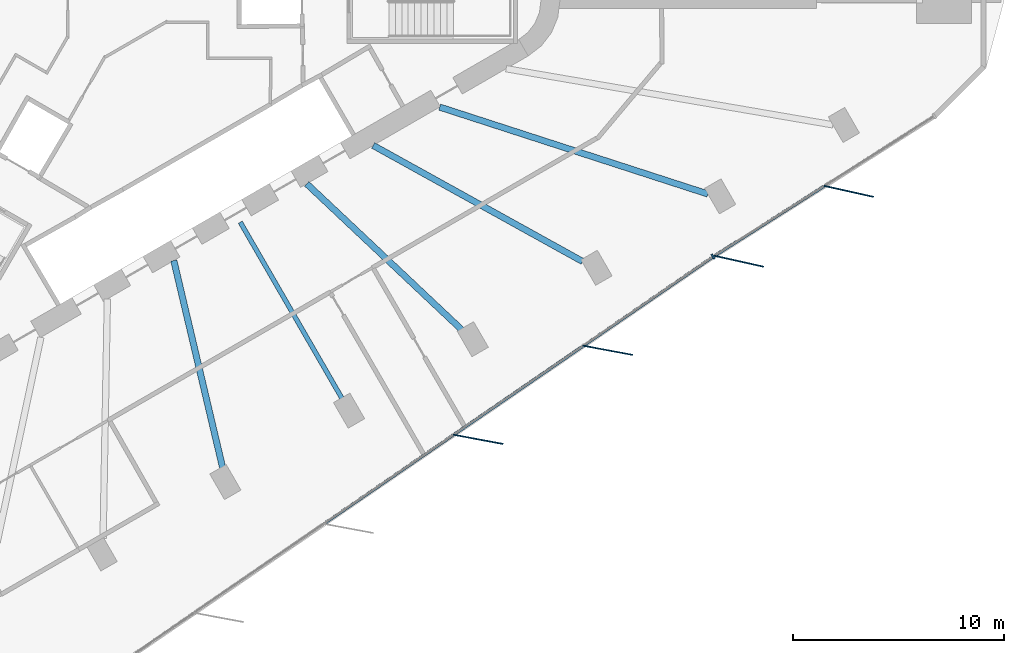
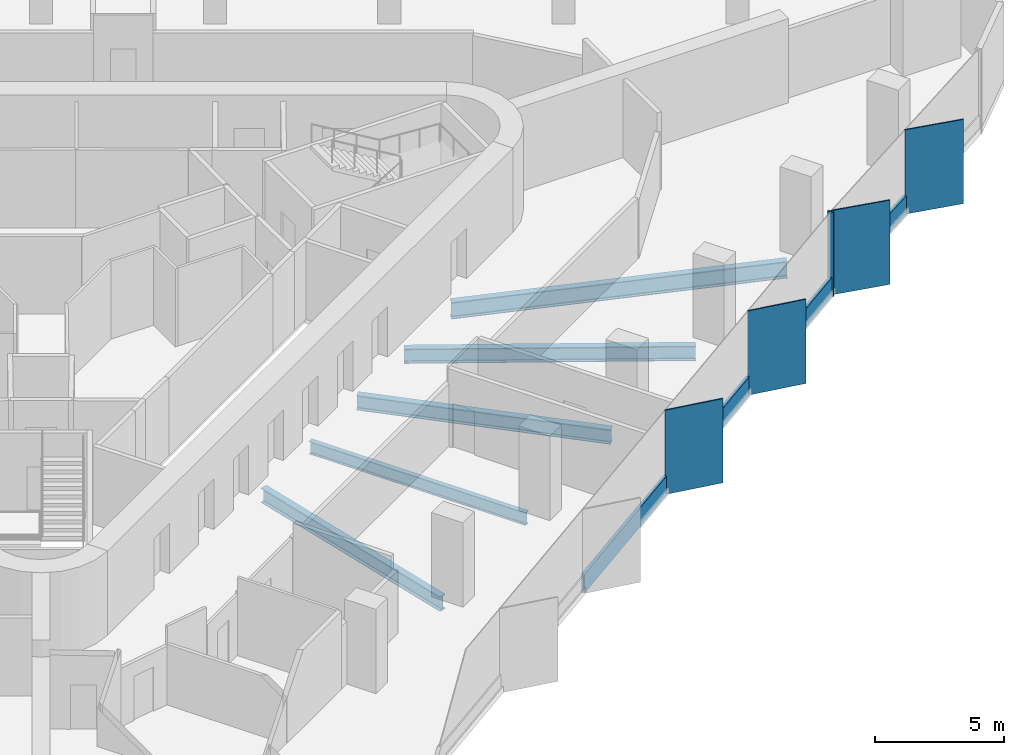
# One storey, part 3 of 13: 9 members, 5 beams, 2 elements without a shape of their own.
"""IFC4 building model written with IfcOpenShell, lengths in metres."""

import ifcopenshell
import ifcopenshell.guid

model = None  # the IFC model being written
_history = None  # IfcOwnerHistory: only IFC2X3 demands one
_inside = {}  # id of a spatial element -> (the spatial element, [elements in it])
_under = {}  # id of a project, library or spatial element -> (it, [spatial elements below it])
_declared = {}  # id of a project -> (the project, [libraries it declares])
_typed = {}  # id of a type object -> (the type object, [elements of that type])
_made_of = {}  # id of a material, layer set ... -> (it, [elements and type objects made of it])


def new_model(schema):
    """Start an empty IFC model of exactly this schema.

    Asked for "IFC4X3", IfcOpenShell would pick the latest addendum, in which some entities
    have other attributes; the version numbers below select the first issue.
    IFC2X3 requires an IfcOwnerHistory on every rooted entity: one is made here for all.
    """
    global model, _history
    if schema == "IFC4X3":
        model = ifcopenshell.file(schema_version=(4, 3, 0, 0))
    else:
        model = ifcopenshell.file(schema=schema)
    _inside.clear()
    _under.clear()
    _declared.clear()
    _typed.clear()
    _made_of.clear()
    _history = None
    if model.schema == "IFC2X3":
        org = make("IfcOrganization", Name="unknown")
        user = make(
            "IfcPersonAndOrganization",
            ThePerson=make("IfcPerson", FamilyName="unknown"),
            TheOrganization=org,
        )
        app = make(
            "IfcApplication",
            ApplicationDeveloper=org,
            Version="unknown",
            ApplicationFullName="unknown",
            ApplicationIdentifier="unknown",
        )
        _history = make(
            "IfcOwnerHistory",
            OwningUser=user,
            OwningApplication=app,
            ChangeAction="ADDED",
            CreationDate=0,
        )
    return model


def make(cls, **values):
    """One entity of the class cls with the attributes given. An attribute that is None is left unset."""
    return model.create_entity(
        cls, **{name: value for name, value in values.items() if value is not None}
    )


def rooted(cls, **values):
    """An entity with a GlobalId (a new one), such as an element, a storey or a relation."""
    return make(cls, GlobalId=ifcopenshell.guid.new(), OwnerHistory=_history, **values)


def si_unit(unit_type, name, prefix=None):
    """IfcSIUnit, for example si_unit("LENGTHUNIT", "METRE", prefix="MILLI")."""
    return make("IfcSIUnit", UnitType=unit_type, Prefix=prefix, Name=name)


def assignment(units):
    """IfcUnitAssignment: the units of a project."""
    return None if units is None else make("IfcUnitAssignment", Units=units)


def point(xyz):
    """IfcCartesianPoint."""
    return None if xyz is None else make("IfcCartesianPoint", Coordinates=xyz)


def direction(xyz):
    """IfcDirection."""
    return None if xyz is None else make("IfcDirection", DirectionRatios=xyz)


def frame(location, z_axis=None, x_axis=None):
    """IfcAxis2Placement3D, a coordinate frame: its origin and axes. An axis left out is left unset."""
    return make(
        "IfcAxis2Placement3D",
        Location=point(location),
        Axis=direction(z_axis),
        RefDirection=direction(x_axis),
    )


def frame_2d(location, x_axis=None):
    """IfcAxis2Placement2D, a coordinate frame in the plane: its origin and x axis."""
    return make(
        "IfcAxis2Placement2D", Location=point(location), RefDirection=direction(x_axis)
    )


def origin():
    """The frame at (0, 0, 0) with its axes left unset."""
    return frame((0.0, 0.0, 0.0))


def origin_2d():
    """The frame at (0, 0) in the plane with its x axis left unset."""
    return frame_2d((0.0, 0.0))


def place(relative_to, where):
    """IfcLocalPlacement: puts the frame where relative to a parent placement (None: the world)."""
    return make(
        "IfcLocalPlacement", PlacementRelTo=relative_to, RelativePlacement=where
    )


def context(
    kind, dimensions, precision=None, world=None, true_north=None, identifier=None
):
    """IfcGeometricRepresentationContext, for example the 3D "Model" context."""
    return make(
        "IfcGeometricRepresentationContext",
        ContextIdentifier=identifier,
        ContextType=kind,
        CoordinateSpaceDimension=dimensions,
        Precision=precision,
        WorldCoordinateSystem=world,
        TrueNorth=true_north,
    )


def subcontext(parent, identifier, kind, view, scale=None):
    """IfcGeometricRepresentationSubContext, for example "Body" below "Model"."""
    return make(
        "IfcGeometricRepresentationSubContext",
        ContextIdentifier=identifier,
        ContextType=kind,
        ParentContext=parent,
        TargetScale=scale,
        TargetView=view,
    )


def project(units=None, contexts=None):
    """IfcProject with its units and contexts."""
    return rooted(
        "IfcProject",
        Name="project",
        RepresentationContexts=contexts,
        UnitsInContext=assignment(units),
    )


def spatial(cls, under=None, at=None, **own):
    """A site, building, storey or space (cls), placed at a placement, below another one or the project."""
    s = rooted(cls, ObjectPlacement=at, **own)
    if under is not None:
        _under.setdefault(under.id(), (under, []))[1].append(s)
    return s


def profile(cls, at=None, kind="AREA", **sizes):
    """A parametric profile (cls). Its sizes go by their IFC names, for example OverallWidth=200.0."""
    return make(cls, ProfileType=kind, Position=at, **sizes)


def rectangle(**sizes):
    """IfcRectangleProfileDef."""
    return profile("IfcRectangleProfileDef", **sizes)


def i_section(**sizes):
    """IfcIShapeProfileDef."""
    return profile("IfcIShapeProfileDef", **sizes)


def extrude(swept, where, along, depth):
    """IfcExtrudedAreaSolid: the profile swept, set in the frame where, extruded along a direction by depth."""
    return make(
        "IfcExtrudedAreaSolid",
        SweptArea=swept,
        Position=where,
        ExtrudedDirection=direction(along),
        Depth=depth,
    )


def shape(context_of_items, identifier, shape_type, items):
    """IfcShapeRepresentation: the items that make up one representation, for example the "Body"."""
    return make(
        "IfcShapeRepresentation",
        ContextOfItems=context_of_items,
        RepresentationIdentifier=identifier,
        RepresentationType=shape_type,
        Items=items,
    )


def material(Name=None, Category=None):
    """IfcMaterial."""
    return make("IfcMaterial", Name=Name, Category=Category)


def material_profile(
    of_material, cross_section, Name=None, Category=None, Priority=None
):
    """IfcMaterialProfile: a cross section and its material."""
    return make(
        "IfcMaterialProfile",
        Name=Name,
        Material=of_material,
        Profile=cross_section,
        Priority=Priority,
        Category=Category,
    )


def profile_set(profiles, Name=None, composite=None):
    """IfcMaterialProfileSet."""
    return make(
        "IfcMaterialProfileSet",
        Name=Name,
        MaterialProfiles=profiles,
        CompositeProfile=composite,
    )


def made_of(thing, what):
    """Note that an element or type object is made of a material, layer set ...; save() writes the relation."""
    if what is not None:
        _made_of.setdefault(what.id(), (what, []))[1].append(thing)
    return thing


def type_object(cls, material=None, **own):
    """A type object (cls), such as IfcWallType, which elements share."""
    return made_of(rooted(cls, **own), material)


def element(
    cls,
    number,
    at=None,
    inside=None,
    cuts=None,
    type_object=None,
    material=None,
    context=None,
    identifier="Body",
    shape_type=None,
    held_by="IfcProductDefinitionShape",
    body=None,
    shapes=None,
    **own,
):
    """One element of the class cls, such as IfcWall. Its Tag is "e" and its number.

    at: its placement. inside: the storey or other place that contains it. cuts: it is an
    opening in that element (IfcRelVoidsElement). A single representation is given by context,
    identifier, shape_type and body (its items); several are given by shapes. held_by: the class
    of the entity that holds the representations. save() writes the other relations.
    """
    e = rooted(cls, Tag="e%d" % number, ObjectPlacement=at, **own)
    if body is not None:
        shapes = [shape(context, identifier, shape_type, body)]
    if shapes is not None:
        e.Representation = make(held_by, Representations=shapes)
    if inside is not None:
        _inside.setdefault(inside.id(), (inside, []))[1].append(e)
    if cuts is not None:
        rooted(
            "IfcRelVoidsElement", RelatingBuildingElement=cuts, RelatedOpeningElement=e
        )
    if type_object is not None:
        _typed.setdefault(type_object.id(), (type_object, []))[1].append(e)
    return made_of(e, material)


def aggregate(whole, parts):
    """IfcRelAggregates: a whole, such as a stair, and the parts it consists of."""
    return rooted("IfcRelAggregates", RelatingObject=whole, RelatedObjects=parts)


def save(model, path):
    """Write the relations noted so far, then the file.

    IfcRelAggregates (storeys below a building ...), IfcRelContainedInSpatialStructure (elements
    in a storey), IfcRelDefinesByType, IfcRelAssociatesMaterial and IfcRelDeclares: one each for
    every whole, place, type object, material and project.
    """
    for whole, parts in _under.values():
        aggregate(whole, parts)
    for where, things in _inside.values():
        rooted(
            "IfcRelContainedInSpatialStructure",
            RelatedElements=things,
            RelatingStructure=where,
        )
    for kind, things in _typed.values():
        rooted("IfcRelDefinesByType", RelatedObjects=things, RelatingType=kind)
    for what, things in _made_of.values():
        rooted("IfcRelAssociatesMaterial", RelatedObjects=things, RelatingMaterial=what)
    for by, libraries in _declared.values():
        rooted("IfcRelDeclares", RelatingContext=by, RelatedDefinitions=libraries)
    model.write(path)


model = new_model("IFC4")

# Units and contexts
model_context = context("Model", 3, precision=1e-05, world=origin(), true_north=direction((0.0, 1.0)))
body_context = subcontext(model_context, "Body", "Model", "MODEL_VIEW")
ifc_project = project(units=[si_unit("LENGTHUNIT", "METRE"), si_unit("AREAUNIT", "SQUARE_METRE"), si_unit("VOLUMEUNIT", "CUBIC_METRE"), si_unit("PLANEANGLEUNIT", "RADIAN"), si_unit("MASSUNIT", "GRAM", prefix="KILO")], contexts=[model_context])

# Site, building, storey
site_placement = place(None, origin())
site = spatial("IfcSite", under=ifc_project, at=site_placement, CompositionType="ELEMENT")
building_placement = place(site_placement, origin())
building = spatial("IfcBuilding", under=site, at=building_placement, Name="Tanit Gate Tower", CompositionType="ELEMENT")
storey_placement = place(building_placement, frame((0.0, 0.0, 181.199951171875)))
storey = spatial("IfcBuildingStorey", under=building, at=storey_placement, Name="L39", CompositionType="ELEMENT", Elevation=181.199951171875)

# Curtain wall, members
ifc_material_1 = material(Name="Aluminium bronze anodised and glass", Category="aluminium")
curtain_wall_type = type_object("IfcCurtainWallType", Name="Curtain wall typical mid", PredefinedType="NOTDEFINED", material=ifc_material_1)
curtain_wall_1_placement = place(storey_placement, origin())
curtain_wall_1 = element("IfcCurtainWall", 1, at=curtain_wall_1_placement, inside=storey, type_object=curtain_wall_type, Name="Curtain wall L39 SE2", PredefinedType="NOTDEFINED")
ifc_material_2 = material(Name="Aluminium bronze anodised", Category="aluminium")
ifc_material_profile_1 = material_profile(ifc_material_2, rectangle(XDim=2.39990234375, YDim=0.055908203125, at=origin_2d()), Name="56x2400 bronze fin mullion")
ifc_profile_set_1 = profile_set([ifc_material_profile_1], Name="Aluminium bronze anodised")
member_type_1 = type_object("IfcMemberType", Name="FIN MULLION 56x2400 bronze", PredefinedType="MULLION", material=ifc_profile_set_1)
member_1_placement = place(storey_placement, frame((17.32275390625, -20.77099609375, -0.300048828125), z_axis=(0.0, 0.0, 1.0), x_axis=(-0.983116074967, 0.182983013261, 0.0)))
member_1 = element("IfcMember", 2, at=member_1_placement, type_object=member_type_1, Name="Fin mullion L39 SE2.4", PredefinedType="MULLION", context=body_context, shape_type="SweptSolid", body=[
    extrude(rectangle(XDim=2.39990234375, YDim=0.055908203125, at=origin_2d()), origin(), (0.0, 0.0, 1.0), 4.0),
])
member_2_placement = place(storey_placement, frame((23.473388671875, -16.55078125, -0.300048828125), z_axis=(0.0, 0.0, 1.0), x_axis=(-0.983116074967, 0.182983013261, 0.0)))
member_2 = element("IfcMember", 3, at=member_2_placement, type_object=member_type_1, Name="Fin mullion L39 SE2.5", PredefinedType="MULLION", context=body_context, shape_type="SweptSolid", body=[
    extrude(rectangle(XDim=2.39990234375, YDim=0.055908203125, at=origin_2d()), origin(), (0.0, 0.0, 1.0), 4.0),
])

curtain_wall_2_placement = place(storey_placement, origin())
curtain_wall_2 = element("IfcCurtainWall", 4, at=curtain_wall_2_placement, inside=storey, type_object=curtain_wall_type, Name="Curtain wall L39 SE3", PredefinedType="NOTDEFINED")
member_3_placement = place(storey_placement, frame((29.6826171875, -12.3271484375, -0.300048828125), z_axis=(0.0, 0.0, 1.0), x_axis=(-0.976010778873, 0.217722207235, 0.0)))
member_3 = element("IfcMember", 5, at=member_3_placement, type_object=member_type_1, Name="Fin mullion L39 SE3.1", PredefinedType="MULLION", context=body_context, shape_type="SweptSolid", body=[
    extrude(rectangle(XDim=2.39990234375, YDim=0.055908203125, at=origin_2d()), origin(), (0.0, 0.0, 1.0), 4.0),
])
member_4_placement = place(storey_placement, frame((34.893798828125, -9.016845703125, -0.300048828125), z_axis=(0.0, 0.0, 1.0), x_axis=(-0.976010778873, 0.217722207235, 0.0)))
member_4 = element("IfcMember", 6, at=member_4_placement, type_object=member_type_1, Name="Fin mullion L39 SE3.2", PredefinedType="MULLION", context=body_context, shape_type="SweptSolid", body=[
    extrude(rectangle(XDim=2.39990234375, YDim=0.055908203125, at=origin_2d()), origin(), (0.0, 0.0, 1.0), 4.0),
])

# Member
ifc_material_3 = material(Name="Aluminium bronze anodised", Category="aluminium")
ifc_material_profile_2 = material_profile(ifc_material_3, rectangle(XDim=0.260009765625, YDim=0.080078125, at=origin_2d()), Name="80x260 bronze mullion")
ifc_profile_set_2 = profile_set([ifc_material_profile_2], Name="Aluminium bronze anodised")
member_type_2 = type_object("IfcMemberType", Name="Mullion 80x260 typical mid", PredefinedType="MULLION", material=ifc_profile_set_2)
member_5_placement = place(storey_placement, frame((28.46533203125, -12.11474609375, -0.300048828125), z_axis=(0.0, 0.0, 1.0), x_axis=(-0.565779513784, 0.824556572821, 0.0)))
member_5 = element("IfcMember", 7, at=member_5_placement, type_object=member_type_2, Name="Mullion L39 SE2.6", PredefinedType="MULLION", context=body_context, shape_type="SweptSolid", body=[
    extrude(rectangle(XDim=0.260009765625, YDim=0.080078125, at=origin_2d()), origin(), (0.0, 0.0, 1.0), 4.0),
])

# Beams
ifc_material_4 = material(Name="Steel S355", Category="steel")
ifc_material_profile_3 = material_profile(ifc_material_4, i_section(OverallWidth=0.300048828125, OverallDepth=0.68994140625, WebThickness=0.014404296875, FlangeThickness=0.027099609375, FilletRadius=0.027099609375, at=origin_2d()), Name="HEA 700")
ifc_profile_set_3 = profile_set([ifc_material_profile_3], Name="Steel S355")
beam_type_1 = type_object("IfcBeamType", Name="RADIAL GIRDER HEA 700 S355", PredefinedType="BEAM", material=ifc_profile_set_3)
for number, where, z_axis, x_axis, name in (
    (8, (5.22998046875, -22.18017578125, -0.64501953125), (-0.22948703754, 0.973311717592, 0.0), (-0.973311717592, -0.22948703754, 0.0), "RADIAL GIRDER"),
    (9, (16.593505859375, -15.619384765625, -0.64501953125), (-0.728163982775, 0.685402957529, 0.0), (-0.685402957529, -0.728163982775, 0.0), "RADIAL GIRDER"),
):
    element("IfcBeam", number, at=place(storey_placement, frame(where, z_axis=z_axis, x_axis=x_axis)), inside=storey, type_object=beam_type_1, Name=name, PredefinedType="BEAM", context=body_context, shape_type="SweptSolid", body=[
        extrude(i_section(OverallWidth=0.300048828125, OverallDepth=0.68994140625, WebThickness=0.014404296875, FlangeThickness=0.027099609375, FilletRadius=0.027099609375, at=origin_2d()), origin(), (0.0, 0.0, 1.0), 10.1513671875),
    ])
beam_1_placement = place(storey_placement, frame((22.27490234375, -12.339111328125, -0.64501953125), z_axis=(-0.874754584169, 0.484566215781, 0.0), x_axis=(-0.484566215781, -0.874754584169, 0.0)))
element("IfcBeam", 10, at=beam_1_placement, inside=storey, type_object=beam_type_1, Name="RADIAL GIRDER", PredefinedType="BEAM", context=body_context, shape_type="SweptSolid", body=[
    extrude(i_section(OverallWidth=0.300048828125, OverallDepth=0.68994140625, WebThickness=0.014404296875, FlangeThickness=0.027099609375, FilletRadius=0.027099609375, at=origin_2d()), origin(), (0.0, 0.0, 1.0), 11.34326171875),
])
ifc_material_5 = material(Name="Steel S355", Category="steel")
ifc_material_profile_4 = material_profile(ifc_material_5, i_section(OverallWidth=0.300048828125, OverallDepth=0.7900390625, WebThickness=0.014892578125, FlangeThickness=0.028076171875, FilletRadius=0.030029296875, at=origin_2d()), Name="HEA 800")
ifc_profile_set_4 = profile_set([ifc_material_profile_4], Name="Steel S355")
beam_type_2 = type_object("IfcBeamType", Name="RADIAL GIRDER HEA 800 S355", PredefinedType="BEAM", material=ifc_profile_set_4)
beam_2_placement = place(storey_placement, frame((28.214111328125, -9.142333984375, -0.695068359375), z_axis=(-0.951302925208, 0.308257594376, 0.0), x_axis=(-0.308257594376, -0.951302925208, 0.0)))
element("IfcBeam", 11, at=beam_2_placement, inside=storey, type_object=beam_type_2, Name="RADIAL GIRDER", PredefinedType="BEAM", context=body_context, shape_type="SweptSolid", body=[
    extrude(i_section(OverallWidth=0.300048828125, OverallDepth=0.7900390625, WebThickness=0.014892578125, FlangeThickness=0.028076171875, FilletRadius=0.030029296875, at=origin_2d()), origin(), (0.0, 0.0, 1.0), 13.36181640625),
])
ifc_material_6 = material(Name="Steel S355", Category="steel")
ifc_material_profile_5 = material_profile(ifc_material_6, i_section(OverallWidth=0.219970703125, OverallDepth=0.60009765625, WebThickness=0.011962890625, FlangeThickness=0.01904296875, FilletRadius=0.02392578125, at=origin_2d()), Name="IPE 600")
ifc_profile_set_5 = profile_set([ifc_material_profile_5], Name="Steel S355")
beam_type_3 = type_object("IfcBeamType", Name="RADIAL GIRDER IPE 600 S355", PredefinedType="BEAM", material=ifc_profile_set_5)
beam_3_placement = place(storey_placement, frame((10.911865234375, -18.89990234375, -0.599853515625), z_axis=(-0.500001430823, 0.866024577697, 0.0), x_axis=(-0.866024577697, -0.500001430823, 0.0)))
element("IfcBeam", 12, at=beam_3_placement, inside=storey, type_object=beam_type_3, Name="RADIAL GIRDER", PredefinedType="BEAM", context=body_context, shape_type="SweptSolid", body=[
    extrude(i_section(OverallWidth=0.219970703125, OverallDepth=0.60009765625, WebThickness=0.011962890625, FlangeThickness=0.01904296875, FilletRadius=0.02392578125, at=origin_2d()), origin(), (0.0, 0.0, 1.0), 9.7216796875),
])

# Member
ifc_material_7 = material(Name="Aluminium bronze anodised", Category="aluminium")
ifc_material_profile_6 = material_profile(ifc_material_7, rectangle(XDim=0.139892578125, YDim=0.89990234375, at=origin_2d()), Name="140x900 bronze transom")
ifc_profile_set_6 = profile_set([ifc_material_profile_6], Name="Aluminium bronze anodised")
member_type_3 = type_object("IfcMemberType", Name="Transom 140x900 typical mid", PredefinedType="USERDEFINED", material=ifc_profile_set_6)
member_6_placement = place(storey_placement, frame((10.046142578125, -24.753173828125, 0.150146484375), z_axis=(0.824559958411, 0.565774579657, 0.0), x_axis=(-0.565774579657, 0.824559958411, 0.0)))
member_6 = element("IfcMember", 13, at=member_6_placement, type_object=member_type_3, Name="Transom L39 SE2.3", ObjectType="TRANSOM", PredefinedType="USERDEFINED", context=body_context, shape_type="SweptSolid", body=[
    extrude(rectangle(XDim=0.139892578125, YDim=0.89990234375, at=origin_2d()), origin(), (0.0, 0.0, 1.0), 7.37939453125),
])

member_7_placement = place(storey_placement, frame((16.197021484375, -20.53271484375, 0.150146484375), z_axis=(0.824559958411, 0.565774579657, 0.0), x_axis=(-0.565774579657, 0.824559958411, 0.0)))
member_7 = element("IfcMember", 14, at=member_7_placement, type_object=member_type_3, Name="Transom L39 SE2.4", ObjectType="TRANSOM", PredefinedType="USERDEFINED", context=body_context, shape_type="SweptSolid", body=[
    extrude(rectangle(XDim=0.139892578125, YDim=0.89990234375, at=origin_2d()), origin(), (0.0, 0.0, 1.0), 7.37939453125),
])

member_8_placement = place(storey_placement, frame((22.34765625, -16.312255859375, 0.150146484375), z_axis=(0.824559958411, 0.565774579657, 0.0), x_axis=(-0.565774579657, 0.824559958411, 0.0)))
member_8 = element("IfcMember", 15, at=member_8_placement, type_object=member_type_3, Name="Transom L39 SE2.5", ObjectType="TRANSOM", PredefinedType="USERDEFINED", context=body_context, shape_type="SweptSolid", body=[
    extrude(rectangle(XDim=0.139892578125, YDim=0.89990234375, at=origin_2d()), origin(), (0.0, 0.0, 1.0), 7.37939453125),
])

aggregate(curtain_wall_1, [member_1, member_2, member_5, member_6, member_7, member_8])

member_9_placement = place(storey_placement, frame((28.565673828125, -12.049072265625, 0.150146484375), z_axis=(0.844106613842, 0.536175367272, 0.0), x_axis=(-0.536175367272, 0.844106613842, 0.0)))
member_9 = element("IfcMember", 16, at=member_9_placement, type_object=member_type_3, Name="Transom L39 SE3.1", ObjectType="TRANSOM", PredefinedType="USERDEFINED", context=body_context, shape_type="SweptSolid", body=[
    extrude(rectangle(XDim=0.139892578125, YDim=0.89990234375, at=origin_2d()), origin(), (0.0, 0.0, 1.0), 6.09375),
])

aggregate(curtain_wall_2, [member_3, member_4, member_9])

save(model, "model.ifc")
